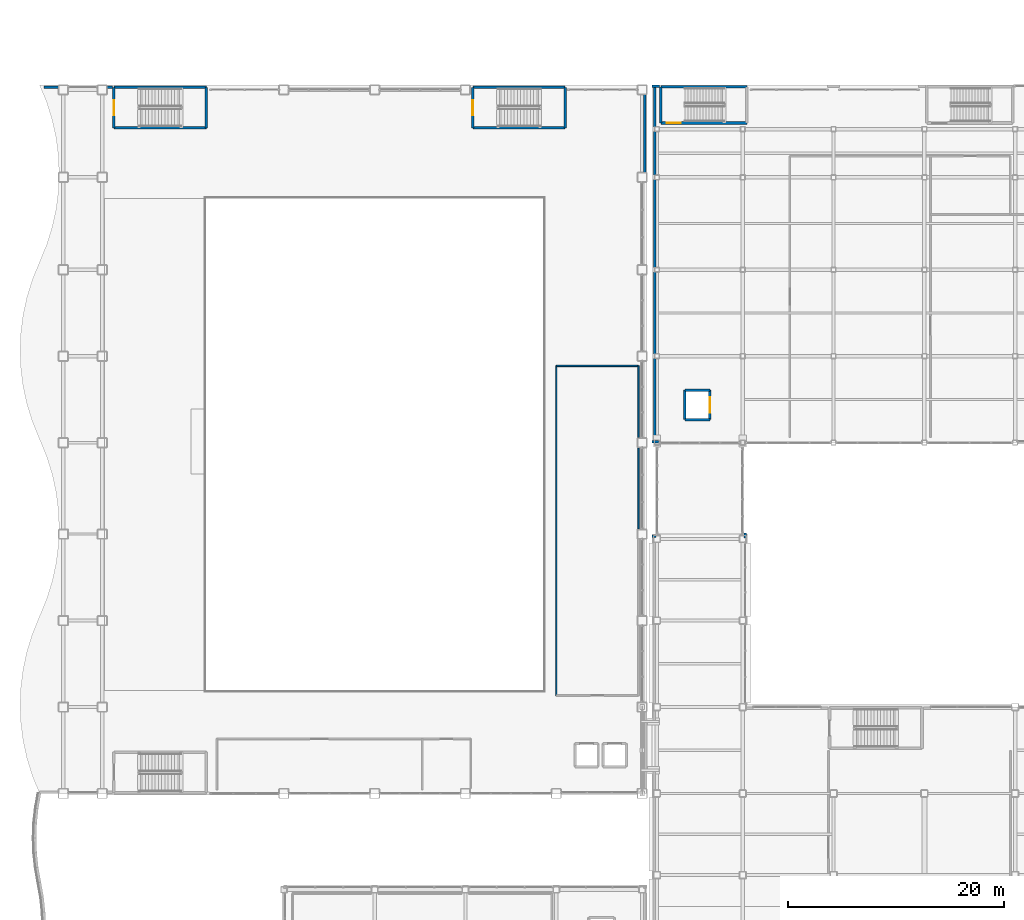
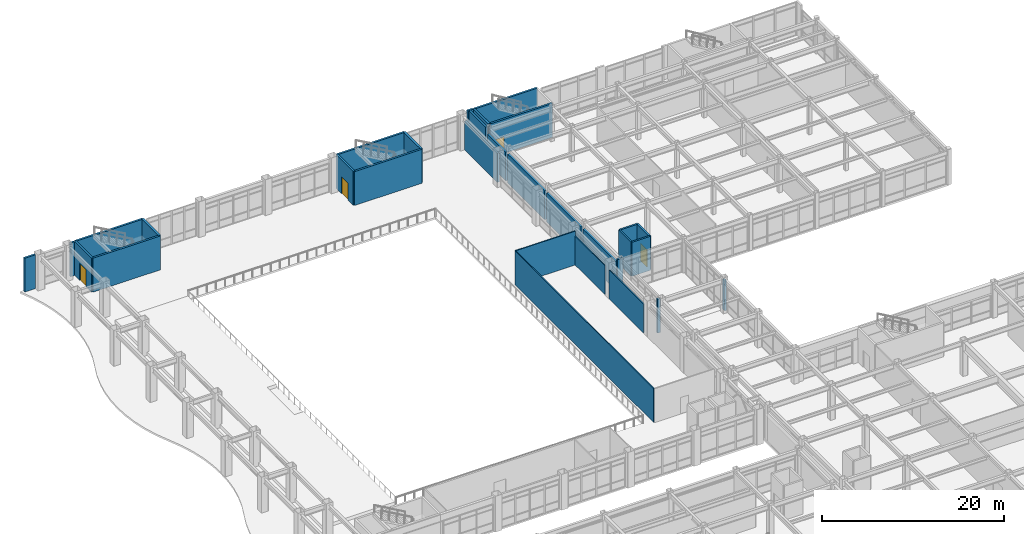
# One storey, part 145 of 172: 31 walls, 4 doors, 4 openings.
"""IFC4 building model written with IfcOpenShell, lengths in metres."""

import ifcopenshell
import ifcopenshell.guid

model = None  # the IFC model being written
_history = None  # IfcOwnerHistory: only IFC2X3 demands one
_inside = {}  # id of a spatial element -> (the spatial element, [elements in it])
_under = {}  # id of a project, library or spatial element -> (it, [spatial elements below it])
_declared = {}  # id of a project -> (the project, [libraries it declares])
_typed = {}  # id of a type object -> (the type object, [elements of that type])
_made_of = {}  # id of a material, layer set ... -> (it, [elements and type objects made of it])


def new_model(schema):
    """Start an empty IFC model of exactly this schema.

    Asked for "IFC4X3", IfcOpenShell would pick the latest addendum, in which some entities
    have other attributes; the version numbers below select the first issue.
    IFC2X3 requires an IfcOwnerHistory on every rooted entity: one is made here for all.
    """
    global model, _history
    if schema == "IFC4X3":
        model = ifcopenshell.file(schema_version=(4, 3, 0, 0))
    else:
        model = ifcopenshell.file(schema=schema)
    _inside.clear()
    _under.clear()
    _declared.clear()
    _typed.clear()
    _made_of.clear()
    _history = None
    if model.schema == "IFC2X3":
        org = make("IfcOrganization", Name="unknown")
        user = make(
            "IfcPersonAndOrganization",
            ThePerson=make("IfcPerson", FamilyName="unknown"),
            TheOrganization=org,
        )
        app = make(
            "IfcApplication",
            ApplicationDeveloper=org,
            Version="unknown",
            ApplicationFullName="unknown",
            ApplicationIdentifier="unknown",
        )
        _history = make(
            "IfcOwnerHistory",
            OwningUser=user,
            OwningApplication=app,
            ChangeAction="ADDED",
            CreationDate=0,
        )
    return model


def make(cls, **values):
    """One entity of the class cls with the attributes given. An attribute that is None is left unset."""
    return model.create_entity(
        cls, **{name: value for name, value in values.items() if value is not None}
    )


def rooted(cls, **values):
    """An entity with a GlobalId (a new one), such as an element, a storey or a relation."""
    return make(cls, GlobalId=ifcopenshell.guid.new(), OwnerHistory=_history, **values)


def si_unit(unit_type, name, prefix=None):
    """IfcSIUnit, for example si_unit("LENGTHUNIT", "METRE", prefix="MILLI")."""
    return make("IfcSIUnit", UnitType=unit_type, Prefix=prefix, Name=name)


def assignment(units):
    """IfcUnitAssignment: the units of a project."""
    return None if units is None else make("IfcUnitAssignment", Units=units)


def point(xyz):
    """IfcCartesianPoint."""
    return None if xyz is None else make("IfcCartesianPoint", Coordinates=xyz)


def direction(xyz):
    """IfcDirection."""
    return None if xyz is None else make("IfcDirection", DirectionRatios=xyz)


def frame(location, z_axis=None, x_axis=None):
    """IfcAxis2Placement3D, a coordinate frame: its origin and axes. An axis left out is left unset."""
    return make(
        "IfcAxis2Placement3D",
        Location=point(location),
        Axis=direction(z_axis),
        RefDirection=direction(x_axis),
    )


def frame_2d(location, x_axis=None):
    """IfcAxis2Placement2D, a coordinate frame in the plane: its origin and x axis."""
    return make(
        "IfcAxis2Placement2D", Location=point(location), RefDirection=direction(x_axis)
    )


def origin():
    """The frame at (0, 0, 0) with its axes left unset."""
    return frame((0.0, 0.0, 0.0))


def place(relative_to, where):
    """IfcLocalPlacement: puts the frame where relative to a parent placement (None: the world)."""
    return make(
        "IfcLocalPlacement", PlacementRelTo=relative_to, RelativePlacement=where
    )


def context(
    kind, dimensions, precision=None, world=None, true_north=None, identifier=None
):
    """IfcGeometricRepresentationContext, for example the 3D "Model" context."""
    return make(
        "IfcGeometricRepresentationContext",
        ContextIdentifier=identifier,
        ContextType=kind,
        CoordinateSpaceDimension=dimensions,
        Precision=precision,
        WorldCoordinateSystem=world,
        TrueNorth=true_north,
    )


def subcontext(parent, identifier, kind, view, scale=None):
    """IfcGeometricRepresentationSubContext, for example "Body" below "Model"."""
    return make(
        "IfcGeometricRepresentationSubContext",
        ContextIdentifier=identifier,
        ContextType=kind,
        ParentContext=parent,
        TargetScale=scale,
        TargetView=view,
    )


def project(units=None, contexts=None):
    """IfcProject with its units and contexts."""
    return rooted(
        "IfcProject",
        Name="project",
        RepresentationContexts=contexts,
        UnitsInContext=assignment(units),
    )


def spatial(cls, under=None, at=None, **own):
    """A site, building, storey or space (cls), placed at a placement, below another one or the project."""
    s = rooted(cls, ObjectPlacement=at, **own)
    if under is not None:
        _under.setdefault(under.id(), (under, []))[1].append(s)
    return s


def profile(cls, at=None, kind="AREA", **sizes):
    """A parametric profile (cls). Its sizes go by their IFC names, for example OverallWidth=200.0."""
    return make(cls, ProfileType=kind, Position=at, **sizes)


def rectangle(**sizes):
    """IfcRectangleProfileDef."""
    return profile("IfcRectangleProfileDef", **sizes)


def extrude(swept, where, along, depth):
    """IfcExtrudedAreaSolid: the profile swept, set in the frame where, extruded along a direction by depth."""
    return make(
        "IfcExtrudedAreaSolid",
        SweptArea=swept,
        Position=where,
        ExtrudedDirection=direction(along),
        Depth=depth,
    )


def shape(context_of_items, identifier, shape_type, items):
    """IfcShapeRepresentation: the items that make up one representation, for example the "Body"."""
    return make(
        "IfcShapeRepresentation",
        ContextOfItems=context_of_items,
        RepresentationIdentifier=identifier,
        RepresentationType=shape_type,
        Items=items,
    )


def material(Name=None, Category=None):
    """IfcMaterial."""
    return make("IfcMaterial", Name=Name, Category=Category)


def layer(
    of_material, thickness, ventilated=None, Name=None, Category=None, Priority=None
):
    """IfcMaterialLayer: one layer of a wall or slab, of a material (None: an air gap)."""
    return make(
        "IfcMaterialLayer",
        Material=of_material,
        LayerThickness=thickness,
        IsVentilated=ventilated,
        Name=Name,
        Category=Category,
        Priority=Priority,
    )


def layer_set(layers, Name=None):
    """IfcMaterialLayerSet."""
    return make("IfcMaterialLayerSet", MaterialLayers=layers, LayerSetName=Name)


def made_of(thing, what):
    """Note that an element or type object is made of a material, layer set ...; save() writes the relation."""
    if what is not None:
        _made_of.setdefault(what.id(), (what, []))[1].append(thing)
    return thing


def type_object(cls, material=None, **own):
    """A type object (cls), such as IfcWallType, which elements share."""
    return made_of(rooted(cls, **own), material)


def element(
    cls,
    number,
    at=None,
    inside=None,
    cuts=None,
    type_object=None,
    material=None,
    context=None,
    identifier="Body",
    shape_type=None,
    held_by="IfcProductDefinitionShape",
    body=None,
    shapes=None,
    **own,
):
    """One element of the class cls, such as IfcWall. Its Tag is "e" and its number.

    at: its placement. inside: the storey or other place that contains it. cuts: it is an
    opening in that element (IfcRelVoidsElement). A single representation is given by context,
    identifier, shape_type and body (its items); several are given by shapes. held_by: the class
    of the entity that holds the representations. save() writes the other relations.
    """
    e = rooted(cls, Tag="e%d" % number, ObjectPlacement=at, **own)
    if body is not None:
        shapes = [shape(context, identifier, shape_type, body)]
    if shapes is not None:
        e.Representation = make(held_by, Representations=shapes)
    if inside is not None:
        _inside.setdefault(inside.id(), (inside, []))[1].append(e)
    if cuts is not None:
        rooted(
            "IfcRelVoidsElement", RelatingBuildingElement=cuts, RelatedOpeningElement=e
        )
    if type_object is not None:
        _typed.setdefault(type_object.id(), (type_object, []))[1].append(e)
    return made_of(e, material)


def fill(opening, filler):
    """IfcRelFillsElement: the door or window that sits in an opening."""
    return rooted(
        "IfcRelFillsElement",
        RelatingOpeningElement=opening,
        RelatedBuildingElement=filler,
    )


def aggregate(whole, parts):
    """IfcRelAggregates: a whole, such as a stair, and the parts it consists of."""
    return rooted("IfcRelAggregates", RelatingObject=whole, RelatedObjects=parts)


def save(model, path):
    """Write the relations noted so far, then the file.

    IfcRelAggregates (storeys below a building ...), IfcRelContainedInSpatialStructure (elements
    in a storey), IfcRelDefinesByType, IfcRelAssociatesMaterial and IfcRelDeclares: one each for
    every whole, place, type object, material and project.
    """
    for whole, parts in _under.values():
        aggregate(whole, parts)
    for where, things in _inside.values():
        rooted(
            "IfcRelContainedInSpatialStructure",
            RelatedElements=things,
            RelatingStructure=where,
        )
    for kind, things in _typed.values():
        rooted("IfcRelDefinesByType", RelatedObjects=things, RelatingType=kind)
    for what, things in _made_of.values():
        rooted("IfcRelAssociatesMaterial", RelatedObjects=things, RelatingMaterial=what)
    for by, libraries in _declared.values():
        rooted("IfcRelDeclares", RelatingContext=by, RelatedDefinitions=libraries)
    model.write(path)


model = new_model("IFC4")

# Units and contexts
model_context = context("Model", 3, precision=1e-05, world=origin(), true_north=direction((0.0, 1.0)))
body_context = subcontext(model_context, "Body", "Model", "MODEL_VIEW")
ifc_project = project(units=[si_unit("LENGTHUNIT", "METRE"), si_unit("AREAUNIT", "SQUARE_METRE"), si_unit("VOLUMEUNIT", "CUBIC_METRE"), si_unit("PLANEANGLEUNIT", "RADIAN"), si_unit("MASSUNIT", "GRAM", prefix="KILO")], contexts=[model_context])

# Site, building, storey
site_placement = place(None, origin())
site = spatial("IfcSite", under=ifc_project, at=site_placement, CompositionType="ELEMENT")
building_placement = place(site_placement, origin())
building = spatial("IfcBuilding", under=site, at=building_placement, Name="Kazehara Bluff Congress Hotel", CompositionType="ELEMENT")
storey_placement = place(building_placement, frame((0.0, 0.0, 5.39990234375)))
storey = spatial("IfcBuildingStorey", under=building, at=storey_placement, Name="L01", CompositionType="ELEMENT", Elevation=5.39990234375)

# Wall, opening, door
ifc_material_1 = material(Name="Concrete C40/50", Category="concrete")
ifc_layer_1 = layer(ifc_material_1, 0.25)
ifc_layer_set_1 = layer_set([ifc_layer_1], Name="Concrete C40/50")
wall_type_1 = type_object("IfcWallType", Name="TP-CW-RC", PredefinedType="SHEAR", material=ifc_layer_set_1)
wall_1_placement = place(storey_placement, frame((9.47509765625, 110.02490234375, 0.0), z_axis=(0.0, 0.0, 1.0), x_axis=(0.0, 1.0, 0.0)))
wall_1 = element("IfcWall", 1, at=wall_1_placement, inside=storey, type_object=wall_type_1, Name="L01 ST-01 core wall near", PredefinedType="SHEAR", context=body_context, shape_type="SweptSolid", body=[
    extrude(rectangle(XDim=3.75, YDim=0.25, at=frame_2d((1.875, 0.0))), origin(), (0.0, 0.0, 1.0), 4.550048828125),
])
opening_1_placement = place(wall_1_placement, frame((1.175048828125, 0.0, 0.0)))
opening_1 = element("IfcOpeningElement", 2, at=opening_1_placement, cuts=wall_1, Name="Opening FD-03", PredefinedType="OPENING", context=body_context, shape_type="SweptSolid", body=[
    extrude(rectangle(XDim=1.39990234375, YDim=2.25, at=frame_2d((0.699951171875, 1.125))), frame((0.0, 0.135009765625, 0.0), z_axis=(0.0, -1.0, 0.0), x_axis=(1.0, 0.0, 0.0)), (0.0, 0.0, 1.0), 0.27001953125),
])
ifc_material_2 = material(Name="Fire-rated painted steel leaf", Category="steel")
door_type_1 = type_object("IfcDoorType", Name="TP-FD-03", OperationType="NOTDEFINED", PredefinedType="DOOR", material=ifc_material_2)
door_1_placement = place(opening_1_placement, origin())
door_1 = element("IfcDoor", 3, at=door_1_placement, inside=storey, type_object=door_type_1, Name="L01 ST-01 fire stair door", OperationType="SINGLE_SWING_RIGHT", OverallHeight=2.25, OverallWidth=1.39990234375, PredefinedType="DOOR", context=body_context, shape_type="SweptSolid", body=[
    extrude(rectangle(XDim=1.39990234375, YDim=2.25, at=frame_2d((0.699951171875, 1.125))), frame((0.0, 0.02490234375, 0.0), z_axis=(0.0, -1.0, 0.0), x_axis=(1.0, 0.0, 0.0)), (0.0, 0.0, 1.0), 0.050048828125),
])
fill(opening_1, door_1)

# Walls
wall_2_placement = place(storey_placement, frame((18.02490234375, 113.77490234375, 0.0), z_axis=(0.0, 0.0, 1.0), x_axis=(0.0, -1.0, 0.0)))
element("IfcWall", 4, at=wall_2_placement, inside=storey, type_object=wall_type_1, Name="L01 ST-01 core wall far", PredefinedType="SHEAR", context=body_context, shape_type="SweptSolid", body=[
    extrude(rectangle(XDim=3.75, YDim=0.25, at=frame_2d((1.875, 0.0))), origin(), (0.0, 0.0, 1.0), 4.550048828125),
])
for number, where, z_axis, x_axis, name in (
    (5, (18.02490234375, 110.02490234375, 0.0), (0.0, 0.0, 1.0), (-1.0, 0.0, 0.0), "L01 ST-01 core wall left"),
    (6, (9.47509765625, 113.77490234375, 0.0), (0.0, 0.0, 1.0), (1.0, 0.0, 0.0), "L01 ST-01 core wall right"),
):
    element("IfcWall", number, at=place(storey_placement, frame(where, z_axis=z_axis, x_axis=x_axis)), inside=storey, type_object=wall_type_1, Name=name, PredefinedType="SHEAR", context=body_context, shape_type="SweptSolid", body=[
        extrude(rectangle(XDim=8.5498046875, YDim=0.25, at=frame_2d((4.27490234375, 0.0))), origin(), (0.0, 0.0, 1.0), 4.550048828125),
    ])

# Wall, opening, door
wall_3_placement = place(storey_placement, frame((42.675048828125, 110.02490234375, 0.0), z_axis=(0.0, 0.0, 1.0), x_axis=(0.0, 1.0, 0.0)))
wall_3 = element("IfcWall", 7, at=wall_3_placement, inside=storey, type_object=wall_type_1, Name="L01 ST-02 core wall near", PredefinedType="SHEAR", context=body_context, shape_type="SweptSolid", body=[
    extrude(rectangle(XDim=3.75, YDim=0.25, at=frame_2d((1.875, 0.0))), origin(), (0.0, 0.0, 1.0), 4.550048828125),
])
opening_2_placement = place(wall_3_placement, frame((1.175048828125, 0.0, 0.0)))
opening_2 = element("IfcOpeningElement", 8, at=opening_2_placement, cuts=wall_3, Name="Opening FD-03", PredefinedType="OPENING", context=body_context, shape_type="SweptSolid", body=[
    extrude(rectangle(XDim=1.39990234375, YDim=2.25, at=frame_2d((0.699951171875, 1.125))), frame((0.0, 0.135009765625, 0.0), z_axis=(0.0, -1.0, 0.0), x_axis=(1.0, 0.0, 0.0)), (0.0, 0.0, 1.0), 0.27001953125),
])
door_2_placement = place(opening_2_placement, origin())
door_2 = element("IfcDoor", 9, at=door_2_placement, inside=storey, type_object=door_type_1, Name="L01 ST-02 fire stair door", OperationType="SINGLE_SWING_LEFT", OverallHeight=2.25, OverallWidth=1.39990234375, PredefinedType="DOOR", context=body_context, shape_type="SweptSolid", body=[
    extrude(rectangle(XDim=1.39990234375, YDim=2.25, at=frame_2d((0.699951171875, 1.125))), frame((0.0, 0.02490234375, 0.0), z_axis=(0.0, -1.0, 0.0), x_axis=(1.0, 0.0, 0.0)), (0.0, 0.0, 1.0), 0.050048828125),
])
fill(opening_2, door_2)

# Walls
wall_4_placement = place(storey_placement, frame((51.22509765625, 113.77490234375, 0.0), z_axis=(0.0, 0.0, 1.0), x_axis=(0.0, -1.0, 0.0)))
element("IfcWall", 10, at=wall_4_placement, inside=storey, type_object=wall_type_1, Name="L01 ST-02 core wall far", PredefinedType="SHEAR", context=body_context, shape_type="SweptSolid", body=[
    extrude(rectangle(XDim=3.75, YDim=0.25, at=frame_2d((1.875, 0.0))), origin(), (0.0, 0.0, 1.0), 4.550048828125),
])
for number, where, z_axis, x_axis, name in (
    (11, (51.22509765625, 110.02490234375, 0.0), (0.0, 0.0, 1.0), (-1.0, 0.0, 0.0), "L01 ST-02 core wall left"),
    (12, (42.675048828125, 113.77490234375, 0.0), (0.0, 0.0, 1.0), (1.0, 0.0, 0.0), "L01 ST-02 core wall right"),
):
    element("IfcWall", number, at=place(storey_placement, frame(where, z_axis=z_axis, x_axis=x_axis)), inside=storey, type_object=wall_type_1, Name=name, PredefinedType="SHEAR", context=body_context, shape_type="SweptSolid", body=[
        extrude(rectangle(XDim=8.550048828125, YDim=0.25, at=frame_2d((4.27490234375, 0.0))), origin(), (0.0, 0.0, 1.0), 4.550048828125),
    ])
wall_5_placement = place(storey_placement, frame((60.074951171875, 110.47509765625, 0.0), z_axis=(0.0, 0.0, 1.0), x_axis=(0.0, 1.0, 0.0)))
element("IfcWall", 13, at=wall_5_placement, inside=storey, type_object=wall_type_1, Name="L01 ST-06 core wall near", PredefinedType="SHEAR", context=body_context, shape_type="SweptSolid", body=[
    extrude(rectangle(XDim=3.349853515625, YDim=0.25, at=frame_2d((1.6748046875, 0.0))), origin(), (0.0, 0.0, 1.0), 4.550048828125),
])

# Wall, opening, door
wall_6_placement = place(storey_placement, frame((68.02490234375, 110.47509765625, 0.0), z_axis=(0.0, 0.0, 1.0), x_axis=(-1.0, 0.0, 0.0)))
wall_6 = element("IfcWall", 14, at=wall_6_placement, inside=storey, type_object=wall_type_1, Name="L01 ST-06 core wall left", PredefinedType="SHEAR", context=body_context, shape_type="SweptSolid", body=[
    extrude(rectangle(XDim=7.949951171875, YDim=0.25, at=frame_2d((3.97509765625, 0.0))), origin(), (0.0, 0.0, 1.0), 4.550048828125),
])
opening_3_placement = place(wall_6_placement, frame((6.125, 0.0, 0.0)))
opening_3 = element("IfcOpeningElement", 15, at=opening_3_placement, cuts=wall_6, Name="Opening FD-01", PredefinedType="OPENING", context=body_context, shape_type="SweptSolid", body=[
    extrude(rectangle(XDim=1.300048828125, YDim=2.199951171875, at=frame_2d((0.64990234375, 1.10009765625))), frame((0.0, 0.135009765625, 0.0), z_axis=(0.0, -1.0, 0.0), x_axis=(1.0, 0.0, 0.0)), (0.0, 0.0, 1.0), 0.27001953125),
])
ifc_material_3 = material(Name="Fire-rated painted steel leaf", Category="steel")
door_type_2 = type_object("IfcDoorType", Name="TP-FD-01", OperationType="NOTDEFINED", PredefinedType="DOOR", material=ifc_material_3)
door_3_placement = place(opening_3_placement, origin())
door_3 = element("IfcDoor", 16, at=door_3_placement, inside=storey, type_object=door_type_2, Name="L01 ST-06 fire stair door", OperationType="SINGLE_SWING_LEFT", OverallHeight=2.199951171875, OverallWidth=1.300048828125, PredefinedType="DOOR", context=body_context, shape_type="SweptSolid", body=[
    extrude(rectangle(XDim=1.300048828125, YDim=2.199951171875, at=frame_2d((0.64990234375, 1.10009765625))), frame((0.0, 0.02490234375, 0.0), z_axis=(0.0, -1.0, 0.0), x_axis=(1.0, 0.0, 0.0)), (0.0, 0.0, 1.0), 0.050048828125),
])
fill(opening_3, door_3)

# Walls
wall_7_placement = place(storey_placement, frame((60.074951171875, 113.824951171875, 0.0), z_axis=(0.0, 0.0, 1.0), x_axis=(1.0, 0.0, 0.0)))
element("IfcWall", 17, at=wall_7_placement, inside=storey, type_object=wall_type_1, Name="L01 ST-06 core wall right", PredefinedType="SHEAR", context=body_context, shape_type="SweptSolid", body=[
    extrude(rectangle(XDim=7.949951171875, YDim=0.25, at=frame_2d((3.97509765625, 0.0))), origin(), (0.0, 0.0, 1.0), 4.550048828125),
])
ifc_material_4 = material(Name="Precast concrete C40/50", Category="concrete")
ifc_layer_2 = layer(ifc_material_4, 0.239990234375)
ifc_layer_set_2 = layer_set([ifc_layer_2], Name="Precast concrete C40/50")
wall_type_2 = type_object("IfcWallType", Name="TP-EW-240", PredefinedType="SOLIDWALL", material=ifc_layer_set_2)
wall_8_placement = place(storey_placement, frame((58.580078125, 113.10009765625, 0.0), z_axis=(0.0, 0.0, 1.0), x_axis=(0.0, -1.0, 0.0)))
element("IfcWall", 18, at=wall_8_placement, inside=storey, type_object=wall_type_2, Name="L01 V1 perimeter spandrel pier 560", PredefinedType="SOLIDWALL", context=body_context, shape_type="SweptSolid", body=[
    extrude(rectangle(XDim=7.2001953125, YDim=0.239990234375, at=frame_2d((3.60009765625, 0.0))), origin(), (0.0, 0.0, 1.0), 3.875),
])
wall_9_placement = place(storey_placement, frame((3.010009765625, 113.780029296875, 0.0), z_axis=(0.0, 0.0, 1.0), x_axis=(1.0, 0.0, 0.0)))
element("IfcWall", 19, at=wall_9_placement, inside=storey, type_object=wall_type_2, Name="L01 V1 perimeter spandrel pier 561", PredefinedType="SOLIDWALL", context=body_context, shape_type="SweptSolid", body=[
    extrude(rectangle(XDim=1.340087890625, YDim=0.239990234375, at=frame_2d((0.669921875, 0.0))), origin(), (0.0, 0.0, 1.0), 4.53515625),
])
wall_10_placement = place(storey_placement, frame((8.85009765625, 113.780029296875, 0.0), z_axis=(0.0, 0.0, 1.0), x_axis=(1.0, 0.0, 0.0)))
element("IfcWall", 20, at=wall_10_placement, inside=storey, type_object=wall_type_2, Name="L01 V1 perimeter spandrel pier 562", PredefinedType="SOLIDWALL", context=body_context, shape_type="SweptSolid", body=[
    extrude(rectangle(XDim=0.489990234375, YDim=0.239990234375, at=frame_2d((0.2451171875, 0.0))), origin(), (0.0, 0.0, 1.0), 4.53515625),
])
wall_11_placement = place(storey_placement, frame((59.925048828125, 81.0, 0.0), z_axis=(0.0, 0.0, 1.0), x_axis=(-1.0, 0.0, 0.0)))
element("IfcWall", 21, at=wall_11_placement, inside=storey, type_object=wall_type_2, Name="L01 V3 perimeter spandrel pier 574", PredefinedType="SOLIDWALL", context=body_context, shape_type="SweptSolid", body=[
    extrude(rectangle(XDim=0.675048828125, YDim=0.239990234375, at=frame_2d((0.33740234375, 0.0))), origin(), (0.0, 0.0, 1.0), 4.53515625),
])
wall_12_placement = place(storey_placement, frame((59.25, 113.8798828125, 0.0), z_axis=(0.0, 0.0, 1.0), x_axis=(1.0, 0.0, 0.0)))
element("IfcWall", 22, at=wall_12_placement, inside=storey, type_object=wall_type_2, Name="L01 V3 perimeter spandrel pier 576", PredefinedType="SOLIDWALL", context=body_context, shape_type="SweptSolid", body=[
    extrude(rectangle(XDim=0.68994140625, YDim=0.239990234375, at=frame_2d((0.344970703125, 0.0))), origin(), (0.0, 0.0, 1.0), 4.53515625),
])
wall_13_placement = place(storey_placement, frame((59.4951171875, 81.1298828125, 0.0), z_axis=(0.0, 0.0, 1.0), x_axis=(0.0, 1.0, 0.0)))
element("IfcWall", 23, at=wall_13_placement, inside=storey, type_object=wall_type_2, Name="L01 V3 perimeter spandrel pier 579", PredefinedType="SOLIDWALL", context=body_context, shape_type="SweptSolid", body=[
    extrude(rectangle(XDim=7.545166015625, YDim=0.239990234375, at=frame_2d((3.7724609375, 0.0))), origin(), (0.0, 0.0, 1.0), 3.875),
])
wall_14_placement = place(storey_placement, frame((59.4951171875, 89.125, 0.0), z_axis=(0.0, 0.0, 1.0), x_axis=(0.0, 1.0, 0.0)))
element("IfcWall", 24, at=wall_14_placement, inside=storey, type_object=wall_type_2, Name="L01 V3 perimeter spandrel pier 580", PredefinedType="SOLIDWALL", context=body_context, shape_type="SweptSolid", body=[
    extrude(rectangle(XDim=7.550048828125, YDim=0.239990234375, at=frame_2d((3.77490234375, 0.0))), origin(), (0.0, 0.0, 1.0), 3.875),
])
wall_15_placement = place(storey_placement, frame((59.4951171875, 97.125, 0.0), z_axis=(0.0, 0.0, 1.0), x_axis=(0.0, 1.0, 0.0)))
element("IfcWall", 25, at=wall_15_placement, inside=storey, type_object=wall_type_2, Name="L01 V3 perimeter spandrel pier 581", PredefinedType="SOLIDWALL", context=body_context, shape_type="SweptSolid", body=[
    extrude(rectangle(XDim=8.10009765625, YDim=0.239990234375, at=frame_2d((4.050048828125, 0.0))), origin(), (0.0, 0.0, 1.0), 3.875),
])
wall_16_placement = place(storey_placement, frame((59.4951171875, 105.675048828125, 0.0), z_axis=(0.0, 0.0, 1.0), x_axis=(0.0, 1.0, 0.0)))
element("IfcWall", 26, at=wall_16_placement, inside=storey, type_object=wall_type_2, Name="L01 V3 perimeter spandrel pier 582", PredefinedType="SOLIDWALL", context=body_context, shape_type="SweptSolid", body=[
    extrude(rectangle(XDim=4.0, YDim=0.239990234375, at=frame_2d((2.0, 0.0))), origin(), (0.0, 0.0, 1.0), 3.875),
])
wall_17_placement = place(storey_placement, frame((59.4951171875, 110.125, 0.0), z_axis=(0.0, 0.0, 1.0), x_axis=(0.0, 1.0, 0.0)))
element("IfcWall", 27, at=wall_17_placement, inside=storey, type_object=wall_type_2, Name="L01 V3 perimeter spandrel pier 583", PredefinedType="SOLIDWALL", context=body_context, shape_type="SweptSolid", body=[
    extrude(rectangle(XDim=3.625, YDim=0.239990234375, at=frame_2d((1.8125, 0.0))), origin(), (0.0, 0.0, 1.0), 4.53515625),
])
wall_18_placement = place(storey_placement, frame((67.8798828125, 72.550048828125, 0.0), z_axis=(0.0, 0.0, 1.0), x_axis=(0.0, -1.0, 0.0)))
element("IfcWall", 28, at=wall_18_placement, inside=storey, type_object=wall_type_2, Name="L01 V4 perimeter spandrel pier 593", PredefinedType="SOLIDWALL", context=body_context, shape_type="SweptSolid", body=[
    extrude(rectangle(XDim=0.4599609375, YDim=0.239990234375, at=frame_2d((0.22998046875, 0.0))), origin(), (0.0, 0.0, 1.0), 4.025146484375),
])
wall_19_placement = place(storey_placement, frame((59.25, 72.22998046875, 0.0), z_axis=(0.0, 0.0, 1.0), x_axis=(1.0, 0.0, 0.0)))
element("IfcWall", 29, at=wall_19_placement, inside=storey, type_object=wall_type_2, Name="L01 V4 perimeter spandrel pier 594", PredefinedType="SOLIDWALL", context=body_context, shape_type="SweptSolid", body=[
    extrude(rectangle(XDim=0.360107421875, YDim=0.239990234375, at=frame_2d((0.18017578125, 0.0))), origin(), (0.0, 0.0, 1.0), 4.53515625),
])
ifc_material_5 = material(Name="Fire-rated gypsum board stud partition")
ifc_layer_3 = layer(ifc_material_5, 0.1298828125)
ifc_layer_set_3 = layer_set([ifc_layer_3], Name="Fire-rated gypsum board stud partition")
wall_type_3 = type_object("IfcWallType", Name="TP-PT-130", PredefinedType="PARTITIONING", material=ifc_layer_set_3)
wall_20_placement = place(storey_placement, frame((50.39990234375, 88.0, 0.0), z_axis=(0.0, 0.0, 1.0), x_axis=(1.0, 0.0, 0.0)))
element("IfcWall", 30, at=wall_20_placement, inside=storey, type_object=wall_type_3, Name="L01 partition PT-130 158", PredefinedType="PARTITIONING", context=body_context, shape_type="SweptSolid", body=[
    extrude(rectangle(XDim=7.60009765625, YDim=0.1298828125, at=frame_2d((3.800048828125, 0.0))), origin(), (0.0, 0.0, 1.0), 4.53515625),
])
wall_21_placement = place(storey_placement, frame((50.39990234375, 57.5, 0.0), z_axis=(0.0, 0.0, 1.0), x_axis=(0.0, 1.0, 0.0)))
element("IfcWall", 31, at=wall_21_placement, inside=storey, type_object=wall_type_3, Name="L01 partition PT-130 167", PredefinedType="PARTITIONING", context=body_context, shape_type="SweptSolid", body=[
    extrude(rectangle(XDim=30.5, YDim=0.1298828125, at=frame_2d((15.25, 0.0))), origin(), (0.0, 0.0, 1.0), 4.53515625),
])
wall_22_placement = place(storey_placement, frame((58.0, 72.919921875, 0.0), z_axis=(0.0, 0.0, 1.0), x_axis=(0.0, 1.0, 0.0)))
element("IfcWall", 32, at=wall_22_placement, inside=storey, type_object=wall_type_3, Name="L01 partition PT-130 170", PredefinedType="PARTITIONING", context=body_context, shape_type="SweptSolid", body=[
    extrude(rectangle(XDim=7.510009765625, YDim=0.1298828125, at=frame_2d((3.7548828125, 0.0))), origin(), (0.0, 0.0, 1.0), 3.875),
])
wall_23_placement = place(storey_placement, frame((58.0, 81.3701171875, 0.0), z_axis=(0.0, 0.0, 1.0), x_axis=(0.0, 1.0, 0.0)))
element("IfcWall", 33, at=wall_23_placement, inside=storey, type_object=wall_type_3, Name="L01 partition PT-130 171", PredefinedType="PARTITIONING", context=body_context, shape_type="SweptSolid", body=[
    extrude(rectangle(XDim=6.6298828125, YDim=0.1298828125, at=frame_2d((3.31494140625, 0.0))), origin(), (0.0, 0.0, 1.0), 3.875),
])
ifc_material_6 = material(Name="Concrete C40/50", Category="concrete")
ifc_layer_4 = layer(ifc_material_6, 0.219970703125)
ifc_layer_set_4 = layer_set([ifc_layer_4], Name="Concrete C40/50")
wall_type_4 = type_object("IfcWallType", Name="TP-SW-RC", PredefinedType="SHEAR", material=ifc_layer_set_4)
for number, where, z_axis, x_axis, name in (
    (34, (62.2900390625, 85.760009765625, 0.0), (0.0, 0.0, 1.0), (1.0, 0.0, 0.0), "L01 EL-S2 lift shaft wall +Y"),
    (35, (62.2900390625, 83.0400390625, 0.0), (0.0, 0.0, 1.0), (1.0, 0.0, 0.0), "L01 EL-S2 lift shaft wall -Y"),
):
    element("IfcWall", number, at=place(storey_placement, frame(where, z_axis=z_axis, x_axis=x_axis)), inside=storey, type_object=wall_type_4, Name=name, PredefinedType="SHEAR", context=body_context, shape_type="SweptSolid", body=[
        extrude(rectangle(XDim=2.320068359375, YDim=0.219970703125, at=frame_2d((1.16015625, 0.0))), origin(), (0.0, 0.0, 1.0), 4.550048828125),
    ])

# Wall, opening, door
wall_24_placement = place(storey_placement, frame((64.610107421875, 83.0400390625, 0.0), z_axis=(0.0, 0.0, 1.0), x_axis=(0.0, 1.0, 0.0)))
wall_24 = element("IfcWall", 36, at=wall_24_placement, inside=storey, type_object=wall_type_4, Name="L01 EL-S2 lift shaft wall +X", PredefinedType="SHEAR", context=body_context, shape_type="SweptSolid", body=[
    extrude(rectangle(XDim=2.719970703125, YDim=0.219970703125, at=frame_2d((1.35986328125, 0.0))), origin(), (0.0, 0.0, 1.0), 4.550048828125),
])
opening_4_placement = place(wall_24_placement, frame((0.635009765625, 0.0, 0.0)))
opening_4 = element("IfcOpeningElement", 37, at=opening_4_placement, cuts=wall_24, Name="Opening LD-04", PredefinedType="OPENING", context=body_context, shape_type="SweptSolid", body=[
    extrude(rectangle(XDim=1.449951171875, YDim=2.35009765625, at=frame_2d((0.72509765625, 1.175048828125))), frame((0.0, 0.119873046875, 0.0), z_axis=(0.0, -1.0, 0.0), x_axis=(1.0, 0.0, 0.0)), (0.0, 0.0, 1.0), 0.239990234375),
])
ifc_material_7 = material(Name="Fire-rated painted steel leaf", Category="steel")
door_type_3 = type_object("IfcDoorType", Name="TP-LD-04", OperationType="SLIDING_TO_LEFT", PredefinedType="DOOR", material=ifc_material_7)
door_4_placement = place(opening_4_placement, origin())
door_4 = element("IfcDoor", 38, at=door_4_placement, inside=storey, type_object=door_type_3, Name="L01 EL-S2 elevator landing door", OperationType="SLIDING_TO_LEFT", OverallHeight=2.35009765625, OverallWidth=1.449951171875, PredefinedType="DOOR", context=body_context, shape_type="SweptSolid", body=[
    extrude(rectangle(XDim=1.449951171875, YDim=2.35009765625, at=frame_2d((0.72509765625, 1.175048828125))), frame((0.0, 0.02490234375, 0.0), z_axis=(0.0, -1.0, 0.0), x_axis=(1.0, 0.0, 0.0)), (0.0, 0.0, 1.0), 0.050048828125),
])
fill(opening_4, door_4)

# Wall
wall_25_placement = place(storey_placement, frame((62.2900390625, 83.0400390625, 0.0), z_axis=(0.0, 0.0, 1.0), x_axis=(0.0, 1.0, 0.0)))
element("IfcWall", 39, at=wall_25_placement, inside=storey, type_object=wall_type_4, Name="L01 EL-S2 lift shaft wall -X", PredefinedType="SHEAR", context=body_context, shape_type="SweptSolid", body=[
    extrude(rectangle(XDim=2.719970703125, YDim=0.219970703125, at=frame_2d((1.35986328125, 0.0))), origin(), (0.0, 0.0, 1.0), 4.550048828125),
])

save(model, "model.ifc")
